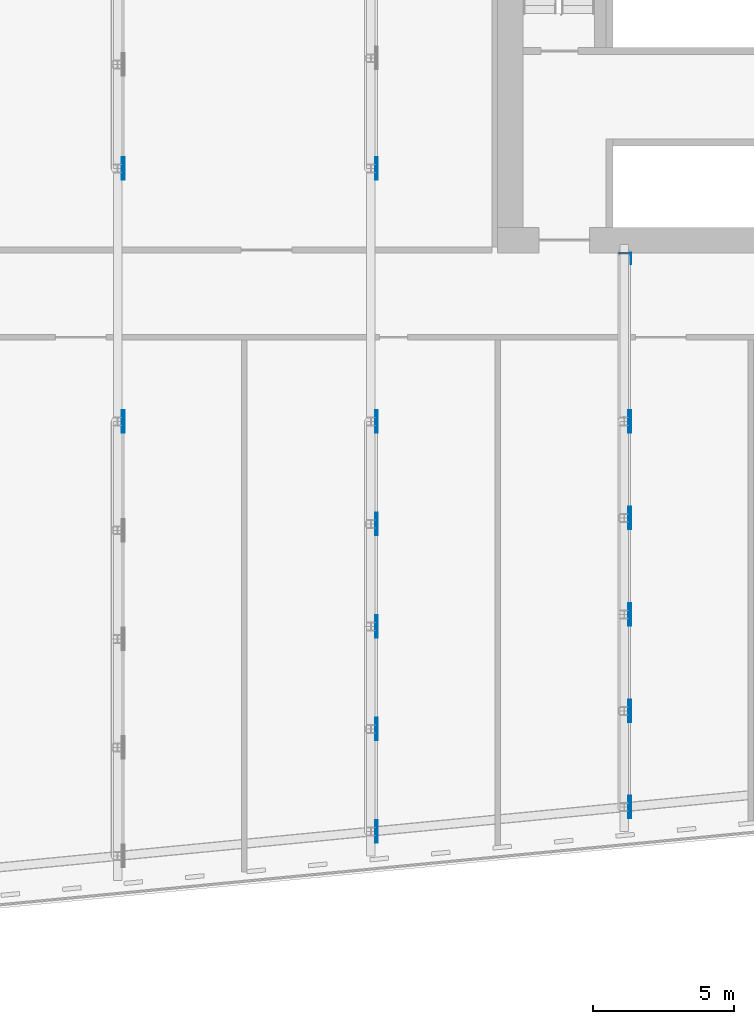
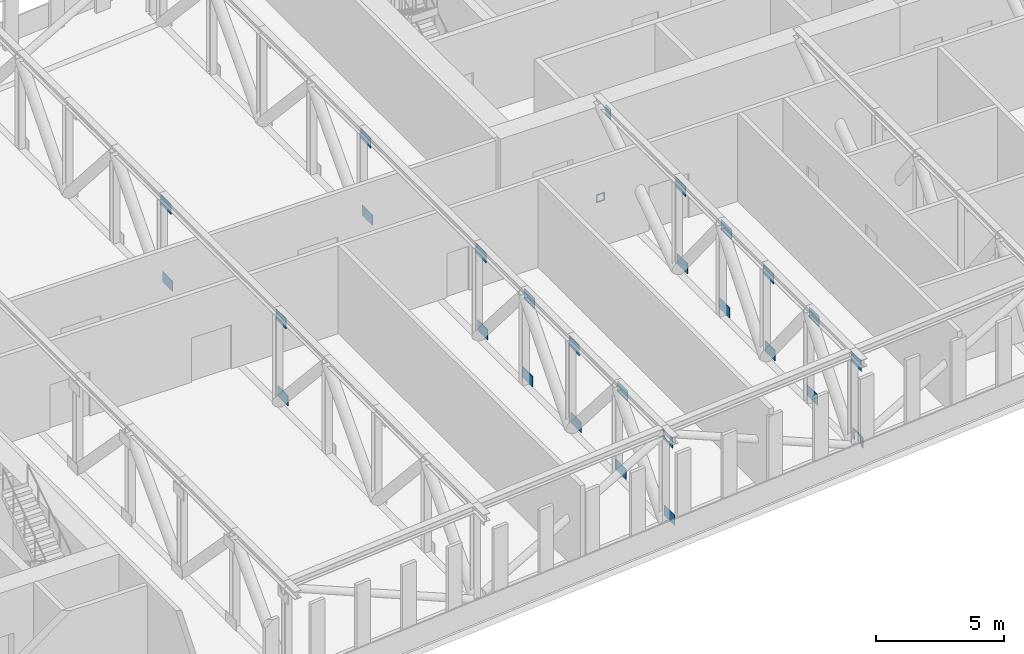
# One storey, part 13 of 22: 28 discrete accessories.
"""IFC4 building model written with IfcOpenShell, lengths in metres."""

from ifc_helpers import new_model, si_unit, direction, frame, origin, place, context, subcontext, project, spatial, polyline, outline, extrude, material, layer, layer_set, type_object, element, save


model = new_model("IFC4")

# Units and contexts
model_context = context("Model", 3, precision=1e-05, world=origin(), true_north=direction((0.0, 1.0)))
body_context = subcontext(model_context, "Body", "Model", "MODEL_VIEW")
ifc_project = project(units=[si_unit("LENGTHUNIT", "METRE"), si_unit("AREAUNIT", "SQUARE_METRE"), si_unit("VOLUMEUNIT", "CUBIC_METRE"), si_unit("PLANEANGLEUNIT", "RADIAN"), si_unit("MASSUNIT", "GRAM", prefix="KILO")], contexts=[model_context])

# Site, building, storey
site_placement = place(None, origin())
site = spatial("IfcSite", under=ifc_project, at=site_placement, CompositionType="ELEMENT")
building_placement = place(site_placement, origin())
building = spatial("IfcBuilding", under=site, at=building_placement, Name="Kajstack Hotel Tower", CompositionType="ELEMENT")
storey_placement = place(building_placement, frame((0.0, 0.0, 150.39990234375)))
storey = spatial("IfcBuildingStorey", under=building, at=storey_placement, Name="L35", CompositionType="ELEMENT", Elevation=150.39990234375)

# Discrete accessories
ifc_material = material(Name="Steel S355J2", Category="steel")
ifc_layer_1 = layer(ifc_material, 0.02490234375)
ifc_layer_set_1 = layer_set([ifc_layer_1], Name="CAST-IN PLATE")
discrete_accessory_type_1 = type_object("IfcDiscreteAccessoryType", Name="CAST-IN PLATE", PredefinedType="BRACKET", material=ifc_layer_set_1)
discrete_accessory_1_placement = place(storey_placement, frame((18.0, 1.47509765625, -0.14501953125), z_axis=(0.0, 1.0, 0.0), x_axis=(-1.0, 0.0, 0.0)))
element("IfcDiscreteAccessory", 1, at=discrete_accessory_1_placement, inside=storey, type_object=discrete_accessory_type_1, Name="Cast-in plate L35-013", PredefinedType="BRACKET", context=body_context, shape_type="SweptSolid", body=[
    extrude(outline(polyline([(-0.199951171875, -0.195068359375), (0.199951171875, -0.195068359375), (0.199951171875, 0.195068359375), (-0.199951171875, 0.195068359375), (-0.199951171875, -0.195068359375)]), holes=[polyline([(-0.14990234375, -0.14501953125), (-0.14990234375, 0.14501953125), (0.14990234375, 0.14501953125), (0.14990234375, -0.14501953125), (-0.14990234375, -0.14501953125)])]), origin(), (0.0, 0.0, 1.0), 0.02490234375),
])
ifc_layer_2 = layer(ifc_material, 0.02001953125)
ifc_layer_set_2 = layer_set([ifc_layer_2], Name="GUSSET PLATE")
discrete_accessory_type_2 = type_object("IfcDiscreteAccessoryType", Name="GUSSET PLATE", PredefinedType="BRACKET", material=ifc_layer_set_2)
for number, where, z_axis, x_axis, name in (
    (2, (0.228515625, -4.5, 0.0), (1.0, 0.0, 0.0), (0.0, 1.0, 0.0), "Gusset plate L35-378"),
    (3, (0.14990234375, -4.5, 3.7001953125), (1.0, 0.0, 0.0), (0.0, 1.0, 0.0), "Gusset plate L35-379"),
    (4, (0.228515625, 4.5, 0.0), (1.0, 0.0, 0.0), (0.0, 1.0, 0.0), "Gusset plate L35-380"),
    (5, (0.14990234375, 4.5, 3.7001953125), (1.0, 0.0, 0.0), (0.0, 1.0, 0.0), "Gusset plate L35-381"),
    (6, (9.228515625, -19.06591796875, 0.0), (1.0, 0.0, 0.0), (0.0, 1.0, 0.0), "Gusset plate L35-392"),
):
    element("IfcDiscreteAccessory", number, at=place(storey_placement, frame(where, z_axis=z_axis, x_axis=x_axis)), inside=storey, type_object=discrete_accessory_type_2, Name=name, PredefinedType="BRACKET", context=body_context, shape_type="SweptSolid", body=[
        extrude(outline(polyline([(-0.39990234375, 0.0), (0.39990234375, 0.0), (0.39990234375, 0.5), (-0.39990234375, 0.5), (-0.39990234375, 0.0)])), origin(), (0.0, 0.0, 1.0), 0.02001953125),
    ])
discrete_accessory_2_placement = place(storey_placement, frame((9.14990234375, -19.06591796875, 3.7001953125), z_axis=(1.0, 0.0, 0.0), x_axis=(0.0, 1.0, 0.0)))
element("IfcDiscreteAccessory", 7, at=discrete_accessory_2_placement, inside=storey, type_object=discrete_accessory_type_2, Name="Gusset plate L35-393", PredefinedType="BRACKET", context=body_context, shape_type="SweptSolid", body=[
    extrude(outline(polyline([(0.39990234375, 0.5), (0.252197265625, 0.5), (0.27392578125, 0.393310546875), (0.277587890625, 0.3701171875), (0.27880859375, 0.3466796875), (0.27783203125, 0.3232421875), (0.2744140625, 0.300048828125), (0.268798828125, 0.27734375), (0.260986328125, 0.255126953125), (0.251220703125, 0.23388671875), (0.2392578125, 0.213623046875), (0.225341796875, 0.19482421875), (0.209716796875, 0.17724609375), (0.1923828125, 0.161376953125), (0.173583984375, 0.1474609375), (0.153564453125, 0.13525390625), (0.13232421875, 0.125), (0.1103515625, 0.1171875), (0.087646484375, 0.111328125), (0.064453125, 0.107666015625), (0.041015625, 0.1064453125), (0.017578125, 0.107421875), (-0.005615234375, 0.11083984375), (-0.0283203125, 0.116455078125), (-0.050537109375, 0.1240234375), (-0.07177734375, 0.134033203125), (-0.092041015625, 0.14599609375), (-0.11083984375, 0.159912109375), (-0.12841796875, 0.175537109375), (-0.144287109375, 0.19287109375), (-0.158203125, 0.211669921875), (-0.17041015625, 0.231689453125), (-0.1806640625, 0.2529296875), (-0.188720703125, 0.27490234375), (-0.1943359375, 0.297607421875), (-0.2080078125, 0.364013671875), (-0.220458984375, 0.384765625), (-0.230224609375, 0.406005859375), (-0.238037109375, 0.427978515625), (-0.24365234375, 0.450927734375), (-0.2470703125, 0.47412109375), (-0.247802734375, 0.5), (-0.39990234375, 0.5), (-0.39990234375, 0.0), (0.39990234375, 0.0), (0.39990234375, 0.5)])), origin(), (0.0, 0.0, 1.0), 0.02001953125),
])
for number, where, z_axis, x_axis, name in (
    (8, (9.14990234375, -15.42431640625, 0.0), (1.0, 0.0, 0.0), (0.0, 1.0, 0.0), "Gusset plate L35-394"),
    (9, (9.228515625, -15.42431640625, 3.7001953125), (1.0, 0.0, 0.0), (0.0, 1.0, 0.0), "Gusset plate L35-395"),
    (10, (9.228515625, -11.782958984375, 0.0), (1.0, 0.0, 0.0), (0.0, 1.0, 0.0), "Gusset plate L35-396"),
    (11, (9.14990234375, -11.782958984375, 3.7001953125), (1.0, 0.0, 0.0), (0.0, 1.0, 0.0), "Gusset plate L35-397"),
    (12, (9.14990234375, -8.1416015625, 0.0), (1.0, 0.0, 0.0), (0.0, 1.0, 0.0), "Gusset plate L35-398"),
    (13, (9.228515625, -8.1416015625, 3.7001953125), (1.0, 0.0, 0.0), (0.0, 1.0, 0.0), "Gusset plate L35-399"),
    (14, (9.228515625, -4.5, 0.0), (1.0, 0.0, 0.0), (0.0, 1.0, 0.0), "Gusset plate L35-400"),
    (15, (9.14990234375, -4.5, 3.7001953125), (1.0, 0.0, 0.0), (0.0, 1.0, 0.0), "Gusset plate L35-401"),
    (16, (9.228515625, 4.5, 0.0), (1.0, 0.0, 0.0), (0.0, 1.0, 0.0), "Gusset plate L35-402"),
    (17, (9.14990234375, 4.5, 3.7001953125), (1.0, 0.0, 0.0), (0.0, 1.0, 0.0), "Gusset plate L35-403"),
):
    element("IfcDiscreteAccessory", number, at=place(storey_placement, frame(where, z_axis=z_axis, x_axis=x_axis)), inside=storey, type_object=discrete_accessory_type_2, Name=name, PredefinedType="BRACKET", context=body_context, shape_type="SweptSolid", body=[
        extrude(outline(polyline([(-0.39990234375, 0.0), (0.39990234375, 0.0), (0.39990234375, 0.5), (-0.39990234375, 0.5), (-0.39990234375, 0.0)])), origin(), (0.0, 0.0, 1.0), 0.02001953125),
    ])
discrete_accessory_3_placement = place(storey_placement, frame((18.228515625, -18.19921875, 0.0), z_axis=(1.0, 0.0, 0.0), x_axis=(0.0, 1.0, 0.0)))
element("IfcDiscreteAccessory", 18, at=discrete_accessory_3_placement, inside=storey, type_object=discrete_accessory_type_2, Name="Gusset plate L35-414", PredefinedType="BRACKET", context=body_context, shape_type="SweptSolid", body=[
    extrude(outline(polyline([(-0.39990234375, 0.0), (-0.240234375, 0.0), (-0.239501953125, 0.029052734375), (-0.236083984375, 0.05224609375), (-0.22607421875, 0.08740234375), (-0.186767578125, 0.279296875), (-0.18115234375, 0.302001953125), (-0.173095703125, 0.32421875), (-0.162841796875, 0.34521484375), (-0.150634765625, 0.365478515625), (-0.13671875, 0.384033203125), (-0.120849609375, 0.4013671875), (-0.103271484375, 0.4169921875), (-0.08447265625, 0.430908203125), (-0.064208984375, 0.44287109375), (-0.04296875, 0.452880859375), (-0.020751953125, 0.460693359375), (0.001953125, 0.46630859375), (0.025146484375, 0.469482421875), (0.048583984375, 0.470458984375), (0.072021484375, 0.46923828125), (0.09521484375, 0.4658203125), (0.117919921875, 0.4599609375), (0.139892578125, 0.451904296875), (0.1611328125, 0.441650390625), (0.18115234375, 0.4296875), (0.199951171875, 0.41552734375), (0.21728515625, 0.399658203125), (0.23291015625, 0.382080078125), (0.246826171875, 0.36328125), (0.2587890625, 0.343017578125), (0.2685546875, 0.32177734375), (0.2763671875, 0.2998046875), (0.281982421875, 0.27685546875), (0.285400390625, 0.253662109375), (0.286376953125, 0.230224609375), (0.28515625, 0.206787109375), (0.281494140625, 0.18359375), (0.243896484375, 0.0), (0.39990234375, 0.0), (0.39990234375, 0.5), (-0.39990234375, 0.5), (-0.39990234375, 0.0)])), origin(), (0.0, 0.0, 1.0), 0.02001953125),
])
for number, where, z_axis, x_axis, name in (
    (19, (18.14990234375, -18.19921875, 3.7001953125), (1.0, 0.0, 0.0), (0.0, 1.0, 0.0), "Gusset plate L35-415"),
    (20, (18.14990234375, -14.7744140625, 0.0), (1.0, 0.0, 0.0), (0.0, 1.0, 0.0), "Gusset plate L35-416"),
    (21, (18.228515625, -14.7744140625, 3.7001953125), (1.0, 0.0, 0.0), (0.0, 1.0, 0.0), "Gusset plate L35-417"),
    (22, (18.228515625, -11.349609375, 0.0), (1.0, 0.0, 0.0), (0.0, 1.0, 0.0), "Gusset plate L35-418"),
    (23, (18.14990234375, -11.349609375, 3.7001953125), (1.0, 0.0, 0.0), (0.0, 1.0, 0.0), "Gusset plate L35-419"),
    (24, (18.14990234375, -7.9248046875, 0.0), (1.0, 0.0, 0.0), (0.0, 1.0, 0.0), "Gusset plate L35-420"),
    (25, (18.228515625, -7.9248046875, 3.7001953125), (1.0, 0.0, 0.0), (0.0, 1.0, 0.0), "Gusset plate L35-421"),
    (26, (18.228515625, -4.5, 0.0), (1.0, 0.0, 0.0), (0.0, 1.0, 0.0), "Gusset plate L35-422"),
    (27, (18.14990234375, -4.5, 3.7001953125), (1.0, 0.0, 0.0), (0.0, 1.0, 0.0), "Gusset plate L35-423"),
):
    element("IfcDiscreteAccessory", number, at=place(storey_placement, frame(where, z_axis=z_axis, x_axis=x_axis)), inside=storey, type_object=discrete_accessory_type_2, Name=name, PredefinedType="BRACKET", context=body_context, shape_type="SweptSolid", body=[
        extrude(outline(polyline([(-0.39990234375, 0.0), (0.39990234375, 0.0), (0.39990234375, 0.5), (-0.39990234375, 0.5), (-0.39990234375, 0.0)])), origin(), (0.0, 0.0, 1.0), 0.02001953125),
    ])
discrete_accessory_4_placement = place(storey_placement, frame((18.228515625, 1.5, 3.7001953125), z_axis=(1.0, 0.0, 0.0), x_axis=(0.0, 1.0, 0.0)))
element("IfcDiscreteAccessory", 28, at=discrete_accessory_4_placement, inside=storey, type_object=discrete_accessory_type_2, Name="Gusset plate L35-424", PredefinedType="BRACKET", context=body_context, shape_type="SweptSolid", body=[
    extrude(outline(polyline([(-0.39990234375, 0.0), (-0.0048828125, 0.0), (-0.0048828125, 0.5), (-0.39990234375, 0.5), (-0.39990234375, 0.0)])), origin(), (0.0, 0.0, 1.0), 0.02001953125),
])

save(model, "model.ifc")
